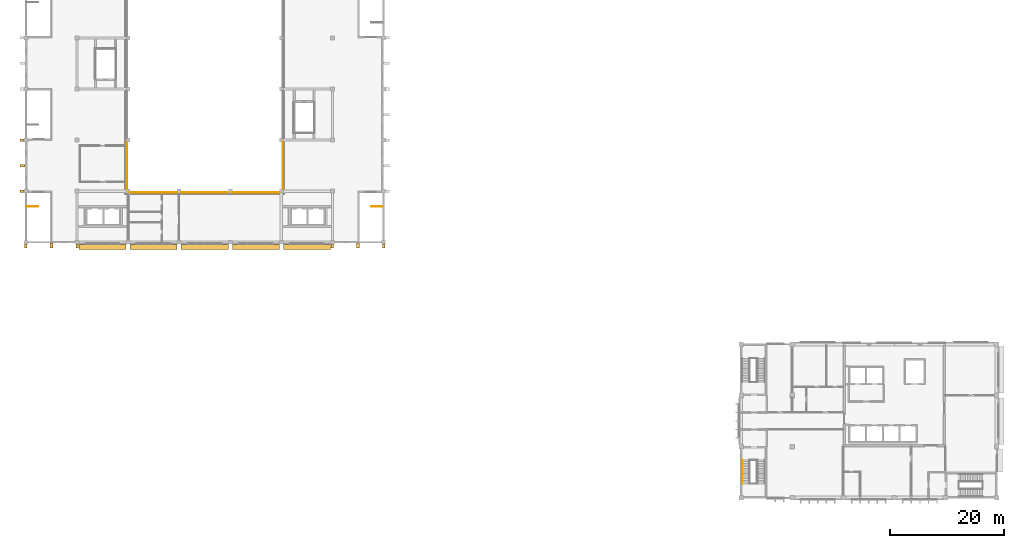
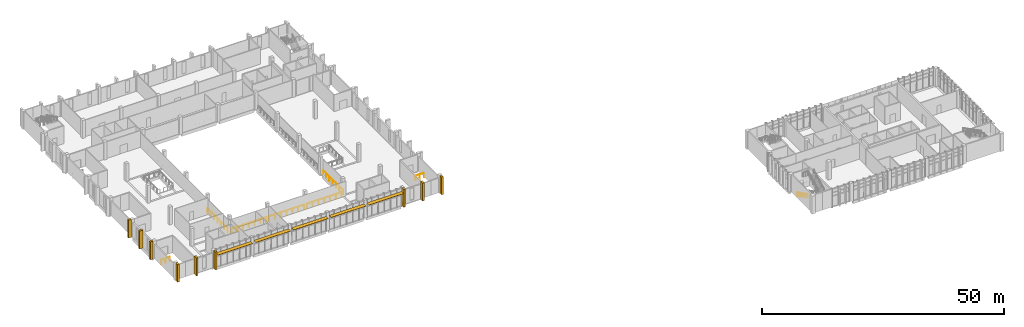
# One storey, part 34 of 40: 9 coverings, 8 railings, 5 shading devices.
"""IFC4 building model written with IfcOpenShell, lengths in metres."""

from ifc_helpers import new_model, si_unit, direction, frame, origin, origin_2d, place, context, subcontext, project, spatial, rectangle, circle, extrude, material, layer, layer_set, type_object, element, save


model = new_model("IFC4")

# Units and contexts
model_context = context("Model", 3, precision=1e-05, world=origin(), true_north=direction((0.0, 1.0)))
body_context = subcontext(model_context, "Body", "Model", "MODEL_VIEW")
ifc_project = project(units=[si_unit("LENGTHUNIT", "METRE"), si_unit("AREAUNIT", "SQUARE_METRE"), si_unit("VOLUMEUNIT", "CUBIC_METRE"), si_unit("PLANEANGLEUNIT", "RADIAN"), si_unit("MASSUNIT", "GRAM", prefix="KILO")], contexts=[model_context])

# Site, building, storey
site_placement = place(None, origin())
site = spatial("IfcSite", under=ifc_project, at=site_placement, CompositionType="ELEMENT")
building_placement = place(site_placement, origin())
building = spatial("IfcBuilding", under=site, at=building_placement, Name="Guidao Yard Department Store", CompositionType="ELEMENT")
storey_placement = place(building_placement, frame((0.0, 0.0, 24.0)))
storey = spatial("IfcBuildingStorey", under=building, at=storey_placement, Name="L05", CompositionType="ELEMENT", Elevation=24.0)

# Railings
ifc_material_1 = material(Name="Steel Q235", Category="steel")
railing_type_1 = type_object("IfcRailingType", Name="Guard steel balustrade 1100", PredefinedType="GUARDRAIL", material=ifc_material_1)
railing_1_placement = place(storey_placement, frame((60.824951171875, 51.300048828125, 0.0)))
element("IfcRailing", 1, at=railing_1_placement, inside=storey, type_object=railing_type_1, Name="Stair A2 guard L05 2", PredefinedType="GUARDRAIL", context=body_context, shape_type="SweptSolid", body=[
    extrude(circle(Radius=0.02392578125, at=origin_2d()), frame((0.0, 0.0, 1.076171875), z_axis=(1.0, 0.0, 0.0), x_axis=(0.0, 1.0, 0.0)), (0.0, 0.0, 1.0), 2.050048828125),
    extrude(circle(Radius=0.02099609375, at=origin_2d()), origin(), (0.0, 0.0, 1.0), 1.052001953125),
    extrude(circle(Radius=0.02099609375, at=origin_2d()), frame((1.02490234375, 0.0, 0.0)), (0.0, 0.0, 1.0), 1.052001953125),
    extrude(circle(Radius=0.02099609375, at=origin_2d()), frame((2.050048828125, 0.0, 0.0)), (0.0, 0.0, 1.0), 1.052001953125),
])
railing_2_placement = place(storey_placement, frame((2.175048828125, 51.300048828125, 0.0)))
element("IfcRailing", 2, at=railing_2_placement, inside=storey, type_object=railing_type_1, Name="Stair A8 guard L05 7", PredefinedType="GUARDRAIL", context=body_context, shape_type="SweptSolid", body=[
    extrude(circle(Radius=0.02392578125, at=origin_2d()), frame((0.0, 0.0, 1.076171875), z_axis=(-1.0, 0.0, 0.0), x_axis=(0.0, -1.0, 0.0)), (0.0, 0.0, 1.0), 2.050048828125),
    extrude(circle(Radius=0.02099609375, at=origin_2d()), origin(), (0.0, 0.0, 1.0), 1.052001953125),
    extrude(circle(Radius=0.02099609375, at=origin_2d()), frame((-1.02490234375, 0.0, 0.0)), (0.0, 0.0, 1.0), 1.052001953125),
    extrude(circle(Radius=0.02099609375, at=origin_2d()), frame((-2.050048828125, 0.0, 0.0)), (0.0, 0.0, 1.0), 1.052001953125),
])
for number, where, name in (
    (3, (18.35009765625, 53.75, 0.0), "Guard atrium S L05"),
    (4, (27.35009765625, 53.75, 0.0), "Guard atrium S L05"),
    (5, (36.35009765625, 53.75, 0.0), "Guard atrium S L05"),
):
    element("IfcRailing", number, at=place(storey_placement, frame(where)), inside=storey, type_object=railing_type_1, Name=name, PredefinedType="GUARDRAIL", context=body_context, shape_type="SweptSolid", body=[
        extrude(circle(Radius=0.02392578125, at=origin_2d()), frame((0.0, 0.0, 1.076171875), z_axis=(1.0, 0.0, 0.0), x_axis=(0.0, 1.0, 0.0)), (0.0, 0.0, 1.0), 8.2998046875),
        extrude(circle(Radius=0.02099609375, at=origin_2d()), origin(), (0.0, 0.0, 1.0), 1.052001953125),
        extrude(circle(Radius=0.02099609375, at=origin_2d()), frame((1.38330078125, 0.0, 0.0)), (0.0, 0.0, 1.0), 1.052001953125),
        extrude(circle(Radius=0.02099609375, at=origin_2d()), frame((2.7666015625, 0.0, 0.0)), (0.0, 0.0, 1.0), 1.052001953125),
        extrude(circle(Radius=0.02099609375, at=origin_2d()), frame((4.14990234375, 0.0, 0.0)), (0.0, 0.0, 1.0), 1.052001953125),
        extrude(circle(Radius=0.02099609375, at=origin_2d()), frame((5.533203125, 0.0, 0.0)), (0.0, 0.0, 1.0), 1.052001953125),
        extrude(circle(Radius=0.02099609375, at=origin_2d()), frame((6.91650390625, 0.0, 0.0)), (0.0, 0.0, 1.0), 1.052001953125),
        extrude(circle(Radius=0.02099609375, at=origin_2d()), frame((8.2998046875, 0.0, 0.0)), (0.0, 0.0, 1.0), 1.052001953125),
    ])
railing_3_placement = place(storey_placement, frame((45.25, 54.35009765625, 0.0)))
element("IfcRailing", 6, at=railing_3_placement, inside=storey, type_object=railing_type_1, Name="Guard atrium E L05", PredefinedType="GUARDRAIL", context=body_context, shape_type="SweptSolid", body=[
    extrude(circle(Radius=0.02392578125, at=origin_2d()), frame((0.0, 0.0, 1.076171875), z_axis=(0.0, 1.0, 0.0), x_axis=(-1.0, 0.0, 0.0)), (0.0, 0.0, 1.0), 8.2998046875),
    extrude(circle(Radius=0.02099609375, at=origin_2d()), origin(), (0.0, 0.0, 1.0), 1.052001953125),
    extrude(circle(Radius=0.02099609375, at=origin_2d()), frame((0.0, 1.38330078125, 0.0)), (0.0, 0.0, 1.0), 1.052001953125),
    extrude(circle(Radius=0.02099609375, at=origin_2d()), frame((0.0, 2.7666015625, 0.0)), (0.0, 0.0, 1.0), 1.052001953125),
    extrude(circle(Radius=0.02099609375, at=origin_2d()), frame((0.0, 4.14990234375, 0.0)), (0.0, 0.0, 1.0), 1.052001953125),
    extrude(circle(Radius=0.02099609375, at=origin_2d()), frame((0.0, 5.533203125, 0.0)), (0.0, 0.0, 1.0), 1.052001953125),
    extrude(circle(Radius=0.02099609375, at=origin_2d()), frame((0.0, 6.91650390625, 0.0)), (0.0, 0.0, 1.0), 1.052001953125),
    extrude(circle(Radius=0.02099609375, at=origin_2d()), frame((0.0, 8.2998046875, 0.0)), (0.0, 0.0, 1.0), 1.052001953125),
])
railing_4_placement = place(storey_placement, frame((17.75, 62.64990234375, 0.0)))
element("IfcRailing", 7, at=railing_4_placement, inside=storey, type_object=railing_type_1, Name="Guard atrium W L05", PredefinedType="GUARDRAIL", context=body_context, shape_type="SweptSolid", body=[
    extrude(circle(Radius=0.02392578125, at=origin_2d()), frame((0.0, 0.0, 1.076171875), z_axis=(0.0, -1.0, 0.0), x_axis=(1.0, 0.0, 0.0)), (0.0, 0.0, 1.0), 8.2998046875),
    extrude(circle(Radius=0.02099609375, at=origin_2d()), origin(), (0.0, 0.0, 1.0), 1.052001953125),
    extrude(circle(Radius=0.02099609375, at=origin_2d()), frame((0.0, -1.38330078125, 0.0)), (0.0, 0.0, 1.0), 1.052001953125),
    extrude(circle(Radius=0.02099609375, at=origin_2d()), frame((0.0, -2.7666015625, 0.0)), (0.0, 0.0, 1.0), 1.052001953125),
    extrude(circle(Radius=0.02099609375, at=origin_2d()), frame((0.0, -4.14990234375, 0.0)), (0.0, 0.0, 1.0), 1.052001953125),
    extrude(circle(Radius=0.02099609375, at=origin_2d()), frame((0.0, -5.533203125, 0.0)), (0.0, 0.0, 1.0), 1.052001953125),
    extrude(circle(Radius=0.02099609375, at=origin_2d()), frame((0.0, -6.91650390625, 0.0)), (0.0, 0.0, 1.0), 1.052001953125),
    extrude(circle(Radius=0.02099609375, at=origin_2d()), frame((0.0, -8.2998046875, 0.0)), (0.0, 0.0, 1.0), 1.052001953125),
])
ifc_material_2 = material(Name="Steel Q235", Category="steel")
railing_type_2 = type_object("IfcRailingType", Name="Handrail steel tube 48", PredefinedType="HANDRAIL", material=ifc_material_2)
railing_5_placement = place(storey_placement, frame((126.18505859375, 6.64990234375, 0.14990234375)))
element("IfcRailing", 8, at=railing_5_placement, inside=storey, type_object=railing_type_2, Name="Stair O1 hand rail L05 9", PredefinedType="HANDRAIL", context=body_context, shape_type="SweptSolid", body=[
    extrude(circle(Radius=0.02392578125, at=origin_2d()), frame((0.0, 0.0, 0.8759765625), z_axis=(0.0, -0.894416792377, 0.447234392142), x_axis=(1.0, 0.0, 0.0)), (0.0, 0.0, 1.0), 4.69580078125),
    extrude(circle(Radius=0.02099609375, at=origin_2d()), origin(), (0.0, 0.0, 1.0), 0.851806640625),
    extrude(circle(Radius=0.02099609375, at=origin_2d()), frame((0.0, -1.050048828125, 0.52490234375)), (0.0, 0.0, 1.0), 0.851806640625),
    extrude(circle(Radius=0.02099609375, at=origin_2d()), frame((0.0, -2.10009765625, 1.050048828125)), (0.0, 0.0, 1.0), 0.851806640625),
    extrude(circle(Radius=0.02099609375, at=origin_2d()), frame((0.0, -3.14990234375, 1.5751953125)), (0.0, 0.0, 1.0), 0.851806640625),
    extrude(circle(Radius=0.02099609375, at=origin_2d()), frame((0.0, -4.199951171875, 2.10009765625)), (0.0, 0.0, 1.0), 0.851806640625),
])

# Coverings
ifc_material_3 = material(Name="Precast concrete C40/50", Category="concrete")
ifc_layer_1 = layer(ifc_material_3, 0.449951171875)
ifc_layer_set_1 = layer_set([ifc_layer_1], Name="Precast fin FN1 board-formed concrete")
covering_type = type_object("IfcCoveringType", Name="Precast fin FN1 board-formed concrete", PredefinedType="CLADDING", material=ifc_layer_set_1)
covering_1_placement = place(storey_placement, frame((0.0, 44.300048828125, 0.0), z_axis=(0.0, 0.0, 1.0), x_axis=(-1.0, 0.0, 0.0)))
element("IfcCovering", 9, at=covering_1_placement, inside=storey, type_object=covering_type, Name="Precast fin", PredefinedType="CLADDING", context=body_context, shape_type="SweptSolid", body=[
    extrude(rectangle(XDim=0.449951171875, YDim=0.699951171875, at=origin_2d()), origin(), (0.0, 0.0, 1.0), 4.5),
])
covering_2_placement = place(storey_placement, frame((4.5, 44.39990234375, 0.0), z_axis=(0.0, 0.0, 1.0), x_axis=(-1.0, 0.0, 0.0)))
element("IfcCovering", 10, at=covering_2_placement, inside=storey, type_object=covering_type, Name="Precast fin", PredefinedType="CLADDING", context=body_context, shape_type="SweptSolid", body=[
    extrude(rectangle(XDim=0.449951171875, YDim=0.89990234375, at=origin_2d()), origin(), (0.0, 0.0, 1.0), 4.5),
])
for number, where, z_axis, x_axis, name in (
    (11, (9.0, 44.300048828125, 0.0), (0.0, 0.0, 1.0), (-1.0, 0.0, 0.0), "Precast fin"),
    (12, (54.0, 44.300048828125, 0.0), (0.0, 0.0, 1.0), (-1.0, 0.0, 0.0), "Precast fin"),
):
    element("IfcCovering", number, at=place(storey_placement, frame(where, z_axis=z_axis, x_axis=x_axis)), inside=storey, type_object=covering_type, Name=name, PredefinedType="CLADDING", context=body_context, shape_type="SweptSolid", body=[
        extrude(rectangle(XDim=0.449951171875, YDim=0.699951171875, at=origin_2d()), origin(), (0.0, 0.0, 1.0), 4.5),
    ])
covering_3_placement = place(storey_placement, frame((58.5, 44.39990234375, 0.0), z_axis=(0.0, 0.0, 1.0), x_axis=(-1.0, 0.0, 0.0)))
element("IfcCovering", 13, at=covering_3_placement, inside=storey, type_object=covering_type, Name="Precast fin", PredefinedType="CLADDING", context=body_context, shape_type="SweptSolid", body=[
    extrude(rectangle(XDim=0.449951171875, YDim=0.89990234375, at=origin_2d()), origin(), (0.0, 0.0, 1.0), 4.5),
])
for number, where, z_axis, x_axis, name in (
    (14, (63.0, 44.300048828125, 0.0), (0.0, 0.0, 1.0), (-1.0, 0.0, 0.0), "Precast fin"),
    (15, (-0.699951171875, 54.0, 0.0), (0.0, 0.0, 1.0), (0.0, 1.0, 0.0), "Precast fin"),
):
    element("IfcCovering", number, at=place(storey_placement, frame(where, z_axis=z_axis, x_axis=x_axis)), inside=storey, type_object=covering_type, Name=name, PredefinedType="CLADDING", context=body_context, shape_type="SweptSolid", body=[
        extrude(rectangle(XDim=0.449951171875, YDim=0.699951171875, at=origin_2d()), origin(), (0.0, 0.0, 1.0), 4.5),
    ])
covering_4_placement = place(storey_placement, frame((-0.60009765625, 58.5, 0.0), z_axis=(0.0, 0.0, 1.0), x_axis=(0.0, 1.0, 0.0)))
element("IfcCovering", 16, at=covering_4_placement, inside=storey, type_object=covering_type, Name="Precast fin", PredefinedType="CLADDING", context=body_context, shape_type="SweptSolid", body=[
    extrude(rectangle(XDim=0.449951171875, YDim=0.89990234375, at=origin_2d()), origin(), (0.0, 0.0, 1.0), 4.5),
])
covering_5_placement = place(storey_placement, frame((-0.699951171875, 63.0, 0.0), z_axis=(0.0, 0.0, 1.0), x_axis=(0.0, 1.0, 0.0)))
element("IfcCovering", 17, at=covering_5_placement, inside=storey, type_object=covering_type, Name="Precast fin", PredefinedType="CLADDING", context=body_context, shape_type="SweptSolid", body=[
    extrude(rectangle(XDim=0.449951171875, YDim=0.699951171875, at=origin_2d()), origin(), (0.0, 0.0, 1.0), 4.5),
])

# Shading devices
ifc_material_4 = material(Name="Aluminium 6063-T5", Category="aluminium")
ifc_layer_2 = layer(ifc_material_4, 0.080078125)
ifc_layer_set_2 = layer_set([ifc_layer_2], Name="Sunshade blade SB1 aluminium")
shading_device_type = type_object("IfcShadingDeviceType", Name="Sunshade blade SB1 aluminium", PredefinedType="SHUTTER", material=ifc_layer_set_2)
for number, where, z_axis, x_axis, name in (
    (18, (13.5, 44.18994140625, 3.599853515625), (0.0, 0.0, 1.0), (-1.0, 0.0, 0.0), "Sunshade blade"),
    (19, (22.5, 44.18994140625, 3.599853515625), (0.0, 0.0, 1.0), (-1.0, 0.0, 0.0), "Sunshade blade"),
    (20, (31.5, 44.18994140625, 3.599853515625), (0.0, 0.0, 1.0), (-1.0, 0.0, 0.0), "Sunshade blade"),
    (21, (40.5, 44.18994140625, 3.599853515625), (0.0, 0.0, 1.0), (-1.0, 0.0, 0.0), "Sunshade blade"),
    (22, (49.5, 44.18994140625, 3.599853515625), (0.0, 0.0, 1.0), (-1.0, 0.0, 0.0), "Sunshade blade"),
):
    element("IfcShadingDevice", number, at=place(storey_placement, frame(where, z_axis=z_axis, x_axis=x_axis)), inside=storey, type_object=shading_device_type, Name=name, PredefinedType="SHUTTER", context=body_context, shape_type="SweptSolid", body=[
        extrude(rectangle(XDim=8.300048828125, YDim=0.89990234375, at=origin_2d()), origin(), (0.0, 0.0, 1.0), 0.080078125),
    ])

save(model, "model.ifc")
